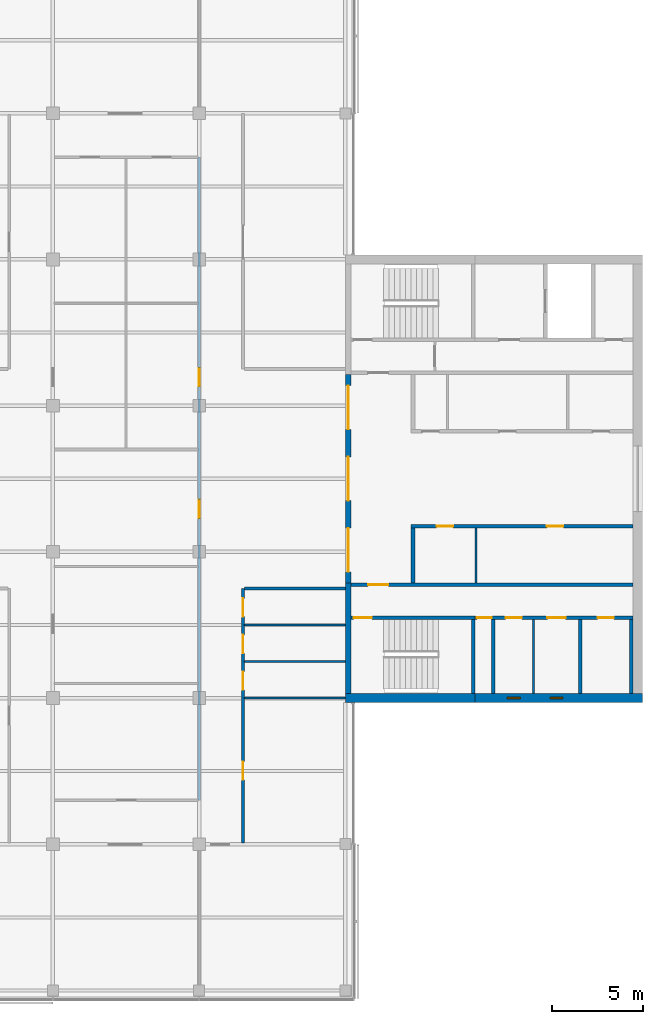
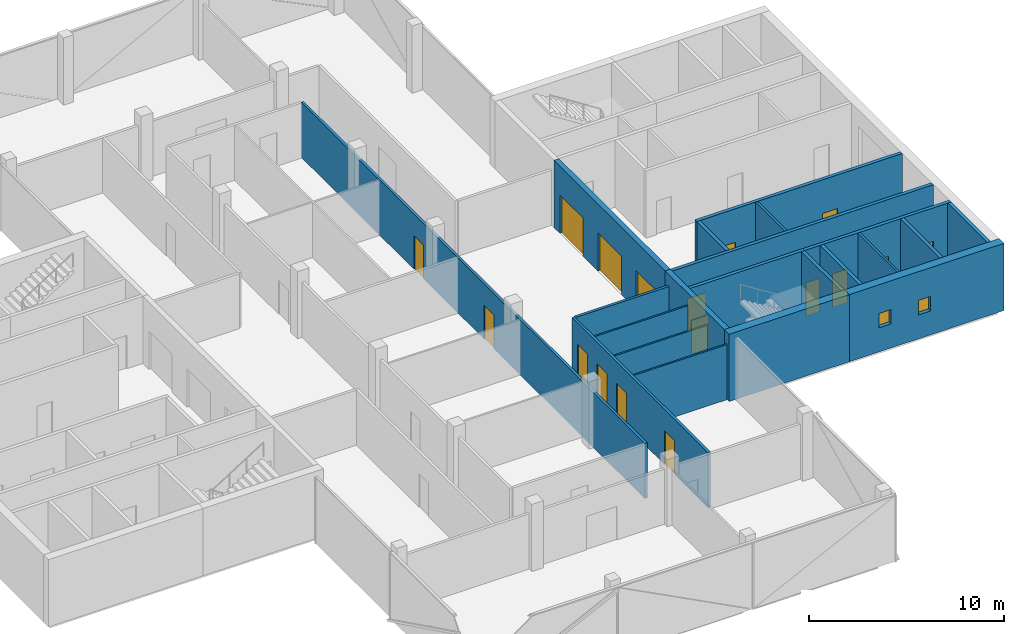
# One storey, part 10 of 15: 21 walls, 17 doors, 2 windows, 19 openings.
"""IFC4 building model written with IfcOpenShell, lengths in metres."""

from ifc_helpers import new_model, si_unit, direction, frame, frame_2d, origin, place, context, subcontext, project, spatial, rectangle, extrude, material, layer, layer_set, constituent, constituent_set, type_object, element, fill, save


model = new_model("IFC4")

# Units and contexts
model_context = context("Model", 3, precision=1e-05, world=origin(), true_north=direction((0.0, 1.0)))
body_context = subcontext(model_context, "Body", "Model", "MODEL_VIEW")
ifc_project = project(units=[si_unit("LENGTHUNIT", "METRE"), si_unit("AREAUNIT", "SQUARE_METRE"), si_unit("VOLUMEUNIT", "CUBIC_METRE"), si_unit("PLANEANGLEUNIT", "RADIAN"), si_unit("MASSUNIT", "GRAM", prefix="KILO")], contexts=[model_context])

# Site, building, storey
site_placement = place(None, origin())
site = spatial("IfcSite", under=ifc_project, at=site_placement, CompositionType="ELEMENT")
building_placement = place(site_placement, origin())
building = spatial("IfcBuilding", under=site, at=building_placement, Name="Crosswind Convention Tower", CompositionType="ELEMENT")
storey_placement = place(building_placement, frame((0.0, 0.0, 261.89990234375)))
storey = spatial("IfcBuildingStorey", under=building, at=storey_placement, Name="L56", CompositionType="ELEMENT", Elevation=261.89990234375)

# Wall
ifc_material_1 = material(Name="Concrete blockwork", Category="masonry")
ifc_layer_1 = layer(ifc_material_1, 0.199951171875)
ifc_layer_set_1 = layer_set([ifc_layer_1], Name="Blockwork partition wall 200")
wall_type_1 = type_object("IfcWallType", Name="Blockwork partition wall 200", PredefinedType="PARTITIONING", material=ifc_layer_set_1)
wall_1_placement = place(storey_placement, frame((145.10009765625, 88.25, 0.0), z_axis=(0.0, 0.0, 1.0), x_axis=(0.0, 1.0, 0.0)))
element("IfcWall", 1, at=wall_1_placement, inside=storey, type_object=wall_type_1, Name="Wall MRSE E L56", PredefinedType="PARTITIONING", context=body_context, shape_type="SweptSolid", body=[
    extrude(rectangle(XDim=4.050048828125, YDim=0.199951171875, at=frame_2d((2.02490234375, 0.0))), origin(), (0.0, 0.0, 1.0), 4.2001953125),
])

# Wall, openings, doors
ifc_material_2 = material(Name="Concrete C50/60", Category="concrete")
ifc_layer_2 = layer(ifc_material_2, 0.300048828125)
ifc_layer_set_2 = layer_set([ifc_layer_2], Name="Concrete C50/60")
wall_type_2 = type_object("IfcWallType", Name="Concrete inner core wall 300", PredefinedType="SHEAR", material=ifc_layer_set_2)
wall_2_placement = place(storey_placement, frame((137.14990234375, 94.300048828125, 0.0), z_axis=(0.0, 0.0, 1.0), x_axis=(0.0, 1.0, 0.0)))
wall_2 = element("IfcWall", 2, at=wall_2_placement, inside=storey, type_object=wall_type_2, Name="Wall SCR E L56", PredefinedType="SHEAR", context=body_context, shape_type="SweptSolid", body=[
    extrude(rectangle(XDim=11.39990234375, YDim=0.300048828125, at=frame_2d((5.699951171875, 0.0))), origin(), (0.0, 0.0, 1.0), 4.2001953125),
])
opening_1_placement = place(wall_2_placement, frame((0.60009765625, 0.0, 0.0)))
opening_1 = element("IfcOpeningElement", 3, at=opening_1_placement, cuts=wall_2, Name="Opening D100", PredefinedType="OPENING", context=body_context, shape_type="SweptSolid", body=[
    extrude(rectangle(XDim=2.39990234375, YDim=2.39990234375, at=frame_2d((1.199951171875, 1.199951171875))), frame((0.0, 0.159912109375, 0.0), z_axis=(0.0, -1.0, 0.0), x_axis=(1.0, 0.0, 0.0)), (0.0, 0.0, 1.0), 0.320068359375),
])
opening_2_placement = place(wall_2_placement, frame((4.5, 0.0, 0.0)))
opening_2 = element("IfcOpeningElement", 4, at=opening_2_placement, cuts=wall_2, Name="Opening D100", PredefinedType="OPENING", context=body_context, shape_type="SweptSolid", body=[
    extrude(rectangle(XDim=2.39990234375, YDim=2.39990234375, at=frame_2d((1.199951171875, 1.199951171875))), frame((0.0, 0.159912109375, 0.0), z_axis=(0.0, -1.0, 0.0), x_axis=(1.0, 0.0, 0.0)), (0.0, 0.0, 1.0), 0.320068359375),
])
opening_3_placement = place(wall_2_placement, frame((8.39990234375, 0.0, 0.0)))
opening_3 = element("IfcOpeningElement", 5, at=opening_3_placement, cuts=wall_2, Name="Opening D100", PredefinedType="OPENING", context=body_context, shape_type="SweptSolid", body=[
    extrude(rectangle(XDim=2.39990234375, YDim=2.39990234375, at=frame_2d((1.199951171875, 1.199951171875))), frame((0.0, 0.159912109375, 0.0), z_axis=(0.0, -1.0, 0.0), x_axis=(1.0, 0.0, 0.0)), (0.0, 0.0, 1.0), 0.320068359375),
])
ifc_material_3 = material(Name="Steel fire door with glazed vision panels", Category="steel")
door_type_1 = type_object("IfcDoorType", Name="Fire-rated double door 2400x2400", OperationType="DOUBLE_DOOR_SINGLE_SWING", PredefinedType="DOOR", material=ifc_material_3)
door_1_placement = place(opening_1_placement, origin())
door_1 = element("IfcDoor", 6, at=door_1_placement, inside=storey, type_object=door_type_1, Name="Lobby door 1 L56", ObjectType="D100", OperationType="DOUBLE_DOOR_SINGLE_SWING", OverallHeight=2.39990234375, OverallWidth=2.39990234375, PredefinedType="DOOR", context=body_context, shape_type="SweptSolid", body=[
    extrude(rectangle(XDim=2.39990234375, YDim=2.39990234375, at=frame_2d((1.199951171875, 1.199951171875))), frame((0.0, 0.02490234375, 0.0), z_axis=(0.0, -1.0, 0.0), x_axis=(1.0, 0.0, 0.0)), (0.0, 0.0, 1.0), 0.050048828125),
])
fill(opening_1, door_1)
door_2_placement = place(opening_2_placement, origin())
door_2 = element("IfcDoor", 7, at=door_2_placement, inside=storey, type_object=door_type_1, Name="Lobby door 2 L56", ObjectType="D100", OperationType="DOUBLE_DOOR_SINGLE_SWING", OverallHeight=2.39990234375, OverallWidth=2.39990234375, PredefinedType="DOOR", context=body_context, shape_type="SweptSolid", body=[
    extrude(rectangle(XDim=2.39990234375, YDim=2.39990234375, at=frame_2d((1.199951171875, 1.199951171875))), frame((0.0, 0.02490234375, 0.0), z_axis=(0.0, -1.0, 0.0), x_axis=(1.0, 0.0, 0.0)), (0.0, 0.0, 1.0), 0.050048828125),
])
fill(opening_2, door_2)
door_3_placement = place(opening_3_placement, origin())
door_3 = element("IfcDoor", 8, at=door_3_placement, inside=storey, type_object=door_type_1, Name="Lobby door 3 L56", ObjectType="D100", OperationType="DOUBLE_DOOR_SINGLE_SWING", OverallHeight=2.39990234375, OverallWidth=2.39990234375, PredefinedType="DOOR", context=body_context, shape_type="SweptSolid", body=[
    extrude(rectangle(XDim=2.39990234375, YDim=2.39990234375, at=frame_2d((1.199951171875, 1.199951171875))), frame((0.0, 0.02490234375, 0.0), z_axis=(0.0, -1.0, 0.0), x_axis=(1.0, 0.0, 0.0)), (0.0, 0.0, 1.0), 0.050048828125),
])
fill(opening_3, door_3)

# Walls
wall_3_placement = place(storey_placement, frame((137.14990234375, 88.25, 0.0), z_axis=(0.0, 0.0, 1.0), x_axis=(0.0, 1.0, 0.0)))
element("IfcWall", 9, at=wall_3_placement, inside=storey, type_object=wall_type_2, Name="Wall EM E L56", PredefinedType="SHEAR", context=body_context, shape_type="SweptSolid", body=[
    extrude(rectangle(XDim=6.050048828125, YDim=0.300048828125, at=frame_2d((3.02490234375, 0.0))), origin(), (0.0, 0.0, 1.0), 4.2001953125),
])
ifc_layer_3 = layer(ifc_material_2, 0.199951171875)
ifc_layer_set_3 = layer_set([ifc_layer_3], Name="Concrete C50/60")
wall_type_3 = type_object("IfcWallType", Name="Concrete shaft and stair wall 200", PredefinedType="SHEAR", material=ifc_layer_set_3)
wall_4_placement = place(storey_placement, frame((140.699951171875, 94.300048828125, 0.0), z_axis=(0.0, 0.0, 1.0), x_axis=(0.0, 1.0, 0.0)))
element("IfcWall", 10, at=wall_4_placement, inside=storey, type_object=wall_type_3, Name="Wall RMEND E L56", PredefinedType="SHEAR", context=body_context, shape_type="SweptSolid", body=[
    extrude(rectangle(XDim=3.0, YDim=0.199951171875, at=frame_2d((1.5, 0.0))), origin(), (0.0, 0.0, 1.0), 4.2001953125),
])

# Wall, openings, doors
wall_5_placement = place(storey_placement, frame((140.60009765625, 97.39990234375, 0.0), z_axis=(0.0, 0.0, 1.0), x_axis=(1.0, 0.0, 0.0)))
wall_5 = element("IfcWall", 11, at=wall_5_placement, inside=storey, type_object=wall_type_3, Name="Wall RMFRONT E L56", PredefinedType="SHEAR", context=body_context, shape_type="SweptSolid", body=[
    extrude(rectangle(XDim=12.14990234375, YDim=0.199951171875, at=frame_2d((6.074951171875, 0.0))), origin(), (0.0, 0.0, 1.0), 4.2001953125),
])
opening_4_placement = place(wall_5_placement, frame((1.391845703125, 0.0, 0.0)))
opening_4 = element("IfcOpeningElement", 12, at=opening_4_placement, cuts=wall_5, Name="Opening D106", PredefinedType="OPENING", context=body_context, shape_type="SweptSolid", body=[
    extrude(rectangle(XDim=0.89990234375, YDim=2.10009765625, at=frame_2d((0.449951171875, 1.050048828125))), frame((0.0, 0.10986328125, 0.0), z_axis=(0.0, -1.0, 0.0), x_axis=(1.0, 0.0, 0.0)), (0.0, 0.0, 1.0), 0.219970703125),
])
opening_5_placement = place(wall_5_placement, frame((7.42919921875, 0.0, 0.0)))
opening_5 = element("IfcOpeningElement", 13, at=opening_5_placement, cuts=wall_5, Name="Opening D106", PredefinedType="OPENING", context=body_context, shape_type="SweptSolid", body=[
    extrude(rectangle(XDim=0.89990234375, YDim=2.10009765625, at=frame_2d((0.449951171875, 1.050048828125))), frame((0.0, 0.10986328125, 0.0), z_axis=(0.0, -1.0, 0.0), x_axis=(1.0, 0.0, 0.0)), (0.0, 0.0, 1.0), 0.219970703125),
])
ifc_material_4 = material(Name="Timber door", Category="wood")
door_type_2 = type_object("IfcDoorType", Name="Single leaf door 900x2100", OperationType="NOTDEFINED", PredefinedType="DOOR", material=ifc_material_4)
door_4_placement = place(opening_4_placement, frame((0.89990234375, 0.0, 0.0), z_axis=(0.0, 0.0, 1.0), x_axis=(-1.0, 0.0, 0.0)))
door_4 = element("IfcDoor", 14, at=door_4_placement, inside=storey, type_object=door_type_2, Name="Door to copy and print room L56", ObjectType="D106", OperationType="SINGLE_SWING_LEFT", OverallHeight=2.10009765625, OverallWidth=0.89990234375, PredefinedType="DOOR", context=body_context, shape_type="SweptSolid", body=[
    extrude(rectangle(XDim=0.89990234375, YDim=2.10009765625, at=frame_2d((0.449951171875, 1.050048828125))), frame((0.0, 0.02490234375, 0.0), z_axis=(0.0, -1.0, 0.0), x_axis=(1.0, 0.0, 0.0)), (0.0, 0.0, 1.0), 0.050048828125),
])
fill(opening_4, door_4)
door_5_placement = place(opening_5_placement, frame((0.89990234375, 0.0, 0.0), z_axis=(0.0, 0.0, 1.0), x_axis=(-1.0, 0.0, 0.0)))
door_5 = element("IfcDoor", 15, at=door_5_placement, inside=storey, type_object=door_type_2, Name="Door to meeting room L56", ObjectType="D106", OperationType="SINGLE_SWING_LEFT", OverallHeight=2.10009765625, OverallWidth=0.89990234375, PredefinedType="DOOR", context=body_context, shape_type="SweptSolid", body=[
    extrude(rectangle(XDim=0.89990234375, YDim=2.10009765625, at=frame_2d((0.449951171875, 1.050048828125))), frame((0.0, 0.02490234375, 0.0), z_axis=(0.0, -1.0, 0.0), x_axis=(1.0, 0.0, 0.0)), (0.0, 0.0, 1.0), 0.050048828125),
])
fill(opening_5, door_5)

# Wall, opening, door
wall_6_placement = place(storey_placement, frame((137.300048828125, 94.199951171875, 0.0), z_axis=(0.0, 0.0, 1.0), x_axis=(1.0, 0.0, 0.0)))
wall_6 = element("IfcWall", 16, at=wall_6_placement, inside=storey, type_object=wall_type_3, Name="Wall HM E L56", PredefinedType="SHEAR", context=body_context, shape_type="SweptSolid", body=[
    extrude(rectangle(XDim=15.449951171875, YDim=0.199951171875, at=frame_2d((7.72509765625, 0.0))), origin(), (0.0, 0.0, 1.0), 4.2001953125),
])
opening_6_placement = place(wall_6_placement, frame((0.949951171875, 0.0, 0.0)))
opening_6 = element("IfcOpeningElement", 17, at=opening_6_placement, cuts=wall_6, Name="Opening D104", PredefinedType="OPENING", context=body_context, shape_type="SweptSolid", body=[
    extrude(rectangle(XDim=1.10009765625, YDim=2.10009765625, at=frame_2d((0.550048828125, 1.050048828125))), frame((0.0, 0.10986328125, 0.0), z_axis=(0.0, -1.0, 0.0), x_axis=(1.0, 0.0, 0.0)), (0.0, 0.0, 1.0), 0.219970703125),
])
ifc_material_5 = material(Name="Steel fire door", Category="steel")
door_type_3 = type_object("IfcDoorType", Name="Fire-rated single door 1100x2100", OperationType="NOTDEFINED", PredefinedType="DOOR", material=ifc_material_5)
door_6_placement = place(opening_6_placement, origin())
door_6 = element("IfcDoor", 18, at=door_6_placement, inside=storey, type_object=door_type_3, Name="Corridor door L56", ObjectType="D104", OperationType="SINGLE_SWING_LEFT", OverallHeight=2.10009765625, OverallWidth=1.10009765625, PredefinedType="DOOR", context=body_context, shape_type="SweptSolid", body=[
    extrude(rectangle(XDim=1.10009765625, YDim=2.10009765625, at=frame_2d((0.550048828125, 1.050048828125))), frame((0.0, 0.02490234375, 0.0), z_axis=(0.0, -1.0, 0.0), x_axis=(1.0, 0.0, 0.0)), (0.0, 0.0, 1.0), 0.050048828125),
])
fill(opening_6, door_6)

# Walls
for number, where, z_axis, x_axis, name in (
    (19, (144.0, 88.25, 0.0), (0.0, 0.0, 1.0), (0.0, 1.0, 0.0), "Wall MSE E L56"),
    (20, (149.85009765625, 88.25, 0.0), (0.0, 0.0, 1.0), (0.0, 1.0, 0.0), "Wall MFSW E L56"),
    (21, (152.64990234375, 88.25, 0.0), (0.0, 0.0, 1.0), (0.0, 1.0, 0.0), "Wall MFSE E L56"),
):
    element("IfcWall", number, at=place(storey_placement, frame(where, z_axis=z_axis, x_axis=x_axis)), inside=storey, type_object=wall_type_3, Name=name, PredefinedType="SHEAR", context=body_context, shape_type="SweptSolid", body=[
        extrude(rectangle(XDim=4.050048828125, YDim=0.199951171875, at=frame_2d((2.02490234375, 0.0))), origin(), (0.0, 0.0, 1.0), 4.2001953125),
    ])

# Wall, opening, door
wall_7_placement = place(storey_placement, frame((137.300048828125, 92.39990234375, 0.0), z_axis=(0.0, 0.0, 1.0), x_axis=(1.0, 0.0, 0.0)))
wall_7 = element("IfcWall", 22, at=wall_7_placement, inside=storey, type_object=wall_type_3, Name="Wall MCW E L56", PredefinedType="SHEAR", context=body_context, shape_type="SweptSolid", body=[
    extrude(rectangle(XDim=6.800048828125, YDim=0.199951171875, at=frame_2d((3.39990234375, 0.0))), origin(), (0.0, 0.0, 1.0), 4.2001953125),
])
opening_7_placement = place(wall_7_placement, frame((0.14990234375, 0.0, 0.0)))
opening_7 = element("IfcOpeningElement", 23, at=opening_7_placement, cuts=wall_7, Name="Opening D103", PredefinedType="OPENING", context=body_context, shape_type="SweptSolid", body=[
    extrude(rectangle(XDim=1.0, YDim=2.10009765625, at=frame_2d((0.5, 1.050048828125))), frame((0.0, 0.10986328125, 0.0), z_axis=(0.0, -1.0, 0.0), x_axis=(1.0, 0.0, 0.0)), (0.0, 0.0, 1.0), 0.219970703125),
])
door_type_4 = type_object("IfcDoorType", Name="Fire-rated single door 1000x2100", OperationType="NOTDEFINED", PredefinedType="DOOR", material=ifc_material_5)
door_7_placement = place(opening_7_placement, frame((1.0, 0.0, 0.0), z_axis=(0.0, 0.0, 1.0), x_axis=(-1.0, 0.0, 0.0)))
door_7 = element("IfcDoor", 24, at=door_7_placement, inside=storey, type_object=door_type_4, Name="Stair ST2 door L56", ObjectType="D103", OperationType="SINGLE_SWING_RIGHT", OverallHeight=2.10009765625, OverallWidth=1.0, PredefinedType="DOOR", context=body_context, shape_type="SweptSolid", body=[
    extrude(rectangle(XDim=1.0, YDim=2.10009765625, at=frame_2d((0.5, 1.050048828125))), frame((0.0, 0.02490234375, 0.0), z_axis=(0.0, -1.0, 0.0), x_axis=(1.0, 0.0, 0.0)), (0.0, 0.0, 1.0), 0.050048828125),
])
fill(opening_7, door_7)

# Wall, openings, doors
wall_8_placement = place(storey_placement, frame((144.10009765625, 92.39990234375, 0.0), z_axis=(0.0, 0.0, 1.0), x_axis=(1.0, 0.0, 0.0)))
wall_8 = element("IfcWall", 25, at=wall_8_placement, inside=storey, type_object=wall_type_3, Name="Wall MCX E L56", PredefinedType="SHEAR", context=body_context, shape_type="SweptSolid", body=[
    extrude(rectangle(XDim=8.64990234375, YDim=0.199951171875, at=frame_2d((4.324951171875, 0.0))), origin(), (0.0, 0.0, 1.0), 4.2001953125),
])
opening_8_placement = place(wall_8_placement, frame((0.10009765625, 0.0, 0.0)))
opening_8 = element("IfcOpeningElement", 26, at=opening_8_placement, cuts=wall_8, Name="Opening D105", PredefinedType="OPENING", context=body_context, shape_type="SweptSolid", body=[
    extrude(rectangle(XDim=0.800048828125, YDim=2.10009765625, at=frame_2d((0.39990234375, 1.050048828125))), frame((0.0, 0.10986328125, 0.0), z_axis=(0.0, -1.0, 0.0), x_axis=(1.0, 0.0, 0.0)), (0.0, 0.0, 1.0), 0.219970703125),
])
opening_9_placement = place(wall_8_placement, frame((1.665283203125, 0.0, 0.0)))
opening_9 = element("IfcOpeningElement", 27, at=opening_9_placement, cuts=wall_8, Name="Opening D106", PredefinedType="OPENING", context=body_context, shape_type="SweptSolid", body=[
    extrude(rectangle(XDim=0.89990234375, YDim=2.10009765625, at=frame_2d((0.449951171875, 1.050048828125))), frame((0.0, 0.10986328125, 0.0), z_axis=(0.0, -1.0, 0.0), x_axis=(1.0, 0.0, 0.0)), (0.0, 0.0, 1.0), 0.219970703125),
])
opening_10_placement = place(wall_8_placement, frame((3.95263671875, 0.0, 0.0)))
opening_10 = element("IfcOpeningElement", 28, at=opening_10_placement, cuts=wall_8, Name="Opening D103", PredefinedType="OPENING", context=body_context, shape_type="SweptSolid", body=[
    extrude(rectangle(XDim=1.0, YDim=2.10009765625, at=frame_2d((0.5, 1.050048828125))), frame((0.0, 0.10986328125, 0.0), z_axis=(0.0, -1.0, 0.0), x_axis=(1.0, 0.0, 0.0)), (0.0, 0.0, 1.0), 0.219970703125),
])
opening_11_placement = place(wall_8_placement, frame((6.699951171875, 0.0, 0.0)))
opening_11 = element("IfcOpeningElement", 29, at=opening_11_placement, cuts=wall_8, Name="Opening D106", PredefinedType="OPENING", context=body_context, shape_type="SweptSolid", body=[
    extrude(rectangle(XDim=0.89990234375, YDim=2.10009765625, at=frame_2d((0.449951171875, 1.050048828125))), frame((0.0, 0.10986328125, 0.0), z_axis=(0.0, -1.0, 0.0), x_axis=(1.0, 0.0, 0.0)), (0.0, 0.0, 1.0), 0.219970703125),
])
door_8_placement = place(opening_10_placement, frame((1.0, 0.0, 0.0), z_axis=(0.0, 0.0, 1.0), x_axis=(-1.0, 0.0, 0.0)))
door_8 = element("IfcDoor", 30, at=door_8_placement, inside=storey, type_object=door_type_4, Name="Door to accessible wc L56", ObjectType="D103", OperationType="SINGLE_SWING_LEFT", OverallHeight=2.10009765625, OverallWidth=1.0, PredefinedType="DOOR", context=body_context, shape_type="SweptSolid", body=[
    extrude(rectangle(XDim=1.0, YDim=2.10009765625, at=frame_2d((0.5, 1.050048828125))), frame((0.0, 0.02490234375, 0.0), z_axis=(0.0, -1.0, 0.0), x_axis=(1.0, 0.0, 0.0)), (0.0, 0.0, 1.0), 0.050048828125),
])
fill(opening_10, door_8)
door_type_5 = type_object("IfcDoorType", Name="Riser access door 800x2100", OperationType="NOTDEFINED", PredefinedType="DOOR", material=ifc_material_5)
door_9_placement = place(opening_8_placement, frame((0.800048828125, 0.0, 0.0), z_axis=(0.0, 0.0, 1.0), x_axis=(-1.0, 0.0, 0.0)))
door_9 = element("IfcDoor", 31, at=door_9_placement, inside=storey, type_object=door_type_5, Name="Riser door L56", ObjectType="D105", OperationType="SINGLE_SWING_LEFT", OverallHeight=2.10009765625, OverallWidth=0.800048828125, PredefinedType="DOOR", context=body_context, shape_type="SweptSolid", body=[
    extrude(rectangle(XDim=0.800048828125, YDim=2.10009765625, at=frame_2d((0.39990234375, 1.050048828125))), frame((0.0, 0.02490234375, 0.0), z_axis=(0.0, -1.0, 0.0), x_axis=(1.0, 0.0, 0.0)), (0.0, 0.0, 1.0), 0.050048828125),
])
fill(opening_8, door_9)
door_10_placement = place(opening_9_placement, frame((0.89990234375, 0.0, 0.0), z_axis=(0.0, 0.0, 1.0), x_axis=(-1.0, 0.0, 0.0)))
door_10 = element("IfcDoor", 32, at=door_10_placement, inside=storey, type_object=door_type_2, Name="Door to wc L56", ObjectType="D106", OperationType="SINGLE_SWING_LEFT", OverallHeight=2.10009765625, OverallWidth=0.89990234375, PredefinedType="DOOR", context=body_context, shape_type="SweptSolid", body=[
    extrude(rectangle(XDim=0.89990234375, YDim=2.10009765625, at=frame_2d((0.449951171875, 1.050048828125))), frame((0.0, 0.02490234375, 0.0), z_axis=(0.0, -1.0, 0.0), x_axis=(1.0, 0.0, 0.0)), (0.0, 0.0, 1.0), 0.050048828125),
])
fill(opening_9, door_10)
door_11_placement = place(opening_11_placement, frame((0.89990234375, 0.0, 0.0), z_axis=(0.0, 0.0, 1.0), x_axis=(-1.0, 0.0, 0.0)))
door_11 = element("IfcDoor", 33, at=door_11_placement, inside=storey, type_object=door_type_2, Name="Door to accessible wc L56", ObjectType="D106", OperationType="SINGLE_SWING_LEFT", OverallHeight=2.10009765625, OverallWidth=0.89990234375, PredefinedType="DOOR", context=body_context, shape_type="SweptSolid", body=[
    extrude(rectangle(XDim=0.89990234375, YDim=2.10009765625, at=frame_2d((0.449951171875, 1.050048828125))), frame((0.0, 0.02490234375, 0.0), z_axis=(0.0, -1.0, 0.0), x_axis=(1.0, 0.0, 0.0)), (0.0, 0.0, 1.0), 0.050048828125),
])
fill(opening_11, door_11)

# Walls
ifc_material_6 = material(Name="Gypsum plasterboard partition", Category="gypsum")
ifc_layer_4 = layer(ifc_material_6, 0.125)
ifc_layer_set_4 = layer_set([ifc_layer_4], Name="Drywall partition wall 125")
wall_type_4 = type_object("IfcWallType", Name="Drywall partition wall 125", PredefinedType="PARTITIONING", material=ifc_layer_set_4)
wall_9_placement = place(storey_placement, frame((144.14599609375, 94.300048828125, 0.0), z_axis=(0.0, 0.0, 1.0), x_axis=(0.0, 1.0, 0.0)))
element("IfcWall", 34, at=wall_9_placement, inside=storey, type_object=wall_type_4, Name="Wall RMP1 E L56", PredefinedType="PARTITIONING", context=body_context, shape_type="SweptSolid", body=[
    extrude(rectangle(XDim=3.0, YDim=0.125, at=frame_2d((1.5, 0.0))), origin(), (0.0, 0.0, 1.0), 4.2001953125),
])
wall_10_placement = place(storey_placement, frame((147.29296875, 88.25, 0.0), z_axis=(0.0, 0.0, 1.0), x_axis=(0.0, 1.0, 0.0)))
element("IfcWall", 35, at=wall_10_placement, inside=storey, type_object=wall_type_4, Name="Wall MWP1 E L56", PredefinedType="PARTITIONING", context=body_context, shape_type="SweptSolid", body=[
    extrude(rectangle(XDim=4.050048828125, YDim=0.125, at=frame_2d((2.02490234375, 0.0))), origin(), (0.0, 0.0, 1.0), 4.2001953125),
])
ifc_material_7 = material(Name="Plasterboard partition", Category="gypsum")
ifc_layer_5 = layer(ifc_material_7, 0.10009765625)
ifc_layer_set_5 = layer_set([ifc_layer_5], Name="PARTITION 100 METAL STUD")
wall_type_5 = type_object("IfcWallType", Name="PARTITION 100 METAL STUD", PredefinedType="PARTITIONING", material=ifc_layer_set_5)
for number, where, z_axis, x_axis, name in (
    (36, (131.47509765625, 88.0, 0.0), (0.0, 0.0, 1.0), (1.0, 0.0, 0.0), "Partition wall WT40"),
    (37, (131.47509765625, 90.0, 0.0), (0.0, 0.0, 1.0), (1.0, 0.0, 0.0), "Partition wall WT40"),
    (38, (131.47509765625, 92.0, 0.0), (0.0, 0.0, 1.0), (1.0, 0.0, 0.0), "Partition wall WT40"),
):
    element("IfcWall", number, at=place(storey_placement, frame(where, z_axis=z_axis, x_axis=x_axis)), inside=storey, type_object=wall_type_5, Name=name, PredefinedType="PARTITIONING", context=body_context, shape_type="SweptSolid", body=[
        extrude(rectangle(XDim=5.52490234375, YDim=0.10009765625, at=frame_2d((2.762451171875, 0.0))), origin(), (0.0, 0.0, 1.0), 3.44287109375),
    ])

# Wall, openings, doors
ifc_material_8 = material(Name="Fire-board partition with mineral wool", Category="gypsum")
ifc_layer_6 = layer(ifc_material_8, 0.14990234375)
ifc_layer_set_6 = layer_set([ifc_layer_6], Name="TENANCY WALL 150 TWO-HOUR BOARD")
wall_type_6 = type_object("IfcWallType", Name="TENANCY WALL 150 TWO-HOUR BOARD", PredefinedType="PARTITIONING", material=ifc_layer_set_6)
wall_11_placement = place(storey_placement, frame((129.0, 82.39990234375, 0.0), z_axis=(0.0, 0.0, 1.0), x_axis=(0.0, 1.0, 0.0)))
wall_11 = element("IfcWall", 39, at=wall_11_placement, inside=storey, type_object=wall_type_6, Name="Tenancy wall WT41", PredefinedType="PARTITIONING", context=body_context, shape_type="SweptSolid", body=[
    extrude(rectangle(XDim=35.2001953125, YDim=0.14990234375, at=frame_2d((17.60009765625, 0.0))), origin(), (0.0, 0.0, 1.0), 3.44287109375),
])
opening_12_placement = place(wall_11_placement, frame((15.449951171875, 0.0, 0.0)))
opening_12 = element("IfcOpeningElement", 40, at=opening_12_placement, cuts=wall_11, Name="Opening L56-62", PredefinedType="OPENING", context=body_context, shape_type="SweptSolid", body=[
    extrude(rectangle(XDim=1.0, YDim=2.10009765625, at=frame_2d((0.5, 1.050048828125))), frame((0.0, 0.0849609375, 0.0), z_axis=(0.0, -1.0, 0.0), x_axis=(1.0, 0.0, 0.0)), (0.0, 0.0, 1.0), 0.169921875),
])
opening_13_placement = place(wall_11_placement, frame((22.64990234375, 0.0, 0.0)))
opening_13 = element("IfcOpeningElement", 41, at=opening_13_placement, cuts=wall_11, Name="Opening L56-64", PredefinedType="OPENING", context=body_context, shape_type="SweptSolid", body=[
    extrude(rectangle(XDim=1.0, YDim=2.10009765625, at=frame_2d((0.5, 1.050048828125))), frame((0.0, 0.0849609375, 0.0), z_axis=(0.0, -1.0, 0.0), x_axis=(1.0, 0.0, 0.0)), (0.0, 0.0, 1.0), 0.169921875),
])
ifc_material_9 = material(Name="Timber fire door", Category="wood")
door_type_6 = type_object("IfcDoorType", Name="TENANCY ENTRANCE DOOR 1000X2100 FD30S", OperationType="NOTDEFINED", PredefinedType="DOOR", material=ifc_material_9)
door_12_placement = place(opening_12_placement, origin())
door_12 = element("IfcDoor", 42, at=door_12_placement, inside=storey, type_object=door_type_6, Name="Door L56-62", ObjectType="D41", OperationType="SINGLE_SWING_LEFT", OverallHeight=2.10009765625, OverallWidth=1.0, PredefinedType="DOOR", context=body_context, shape_type="SweptSolid", body=[
    extrude(rectangle(XDim=1.0, YDim=2.10009765625, at=frame_2d((0.5, 1.050048828125))), frame((0.0, 0.02490234375, 0.0), z_axis=(0.0, -1.0, 0.0), x_axis=(1.0, 0.0, 0.0)), (0.0, 0.0, 1.0), 0.050048828125),
])
fill(opening_12, door_12)
door_13_placement = place(opening_13_placement, origin())
door_13 = element("IfcDoor", 43, at=door_13_placement, inside=storey, type_object=door_type_6, Name="Door L56-64", ObjectType="D41", OperationType="SINGLE_SWING_LEFT", OverallHeight=2.10009765625, OverallWidth=1.0, PredefinedType="DOOR", context=body_context, shape_type="SweptSolid", body=[
    extrude(rectangle(XDim=1.0, YDim=2.10009765625, at=frame_2d((0.5, 1.050048828125))), frame((0.0, 0.02490234375, 0.0), z_axis=(0.0, -1.0, 0.0), x_axis=(1.0, 0.0, 0.0)), (0.0, 0.0, 1.0), 0.050048828125),
])
fill(opening_13, door_13)

wall_12_placement = place(storey_placement, frame((131.39990234375, 80.074951171875, 0.0), z_axis=(0.0, 0.0, 1.0), x_axis=(0.0, 1.0, 0.0)))
wall_12 = element("IfcWall", 44, at=wall_12_placement, inside=storey, type_object=wall_type_6, Name="Tenancy wall WT41", PredefinedType="PARTITIONING", context=body_context, shape_type="SweptSolid", body=[
    extrude(rectangle(XDim=13.925048828125, YDim=0.14990234375, at=frame_2d((6.96240234375, 0.0))), origin(), (0.0, 0.0, 1.0), 3.44287109375),
])
opening_14_placement = place(wall_12_placement, frame((12.375, 0.0, 0.0)))
opening_14 = element("IfcOpeningElement", 45, at=opening_14_placement, cuts=wall_12, Name="Opening L56-51", PredefinedType="OPENING", context=body_context, shape_type="SweptSolid", body=[
    extrude(rectangle(XDim=1.0, YDim=2.10009765625, at=frame_2d((0.5, 1.050048828125))), frame((0.0, 0.0849609375, 0.0), z_axis=(0.0, -1.0, 0.0), x_axis=(1.0, 0.0, 0.0)), (0.0, 0.0, 1.0), 0.169921875),
])
opening_15_placement = place(wall_12_placement, frame((10.375, 0.0, 0.0)))
opening_15 = element("IfcOpeningElement", 46, at=opening_15_placement, cuts=wall_12, Name="Opening L56-52", PredefinedType="OPENING", context=body_context, shape_type="SweptSolid", body=[
    extrude(rectangle(XDim=1.0, YDim=2.10009765625, at=frame_2d((0.5, 1.050048828125))), frame((0.0, 0.0849609375, 0.0), z_axis=(0.0, -1.0, 0.0), x_axis=(1.0, 0.0, 0.0)), (0.0, 0.0, 1.0), 0.169921875),
])
opening_16_placement = place(wall_12_placement, frame((8.375, 0.0, 0.0)))
opening_16 = element("IfcOpeningElement", 47, at=opening_16_placement, cuts=wall_12, Name="Opening L56-53", PredefinedType="OPENING", context=body_context, shape_type="SweptSolid", body=[
    extrude(rectangle(XDim=1.0, YDim=2.10009765625, at=frame_2d((0.5, 1.050048828125))), frame((0.0, 0.0849609375, 0.0), z_axis=(0.0, -1.0, 0.0), x_axis=(1.0, 0.0, 0.0)), (0.0, 0.0, 1.0), 0.169921875),
])
opening_17_placement = place(wall_12_placement, frame((3.449951171875, 0.0, 0.0)))
opening_17 = element("IfcOpeningElement", 48, at=opening_17_placement, cuts=wall_12, Name="Opening L56-54", PredefinedType="OPENING", context=body_context, shape_type="SweptSolid", body=[
    extrude(rectangle(XDim=1.0, YDim=2.10009765625, at=frame_2d((0.5, 1.050048828125))), frame((0.0, 0.0849609375, 0.0), z_axis=(0.0, -1.0, 0.0), x_axis=(1.0, 0.0, 0.0)), (0.0, 0.0, 1.0), 0.169921875),
])
door_14_placement = place(opening_14_placement, frame((1.0, 0.0, 0.0), z_axis=(0.0, 0.0, 1.0), x_axis=(-1.0, 0.0, 0.0)))
door_14 = element("IfcDoor", 49, at=door_14_placement, inside=storey, type_object=door_type_6, Name="Door L56-51", ObjectType="D41", OperationType="SINGLE_SWING_RIGHT", OverallHeight=2.10009765625, OverallWidth=1.0, PredefinedType="DOOR", context=body_context, shape_type="SweptSolid", body=[
    extrude(rectangle(XDim=1.0, YDim=2.10009765625, at=frame_2d((0.5, 1.050048828125))), frame((0.0, 0.02490234375, 0.0), z_axis=(0.0, -1.0, 0.0), x_axis=(1.0, 0.0, 0.0)), (0.0, 0.0, 1.0), 0.050048828125),
])
fill(opening_14, door_14)
door_15_placement = place(opening_15_placement, frame((1.0, 0.0, 0.0), z_axis=(0.0, 0.0, 1.0), x_axis=(-1.0, 0.0, 0.0)))
door_15 = element("IfcDoor", 50, at=door_15_placement, inside=storey, type_object=door_type_6, Name="Door L56-52", ObjectType="D41", OperationType="SINGLE_SWING_RIGHT", OverallHeight=2.10009765625, OverallWidth=1.0, PredefinedType="DOOR", context=body_context, shape_type="SweptSolid", body=[
    extrude(rectangle(XDim=1.0, YDim=2.10009765625, at=frame_2d((0.5, 1.050048828125))), frame((0.0, 0.02490234375, 0.0), z_axis=(0.0, -1.0, 0.0), x_axis=(1.0, 0.0, 0.0)), (0.0, 0.0, 1.0), 0.050048828125),
])
fill(opening_15, door_15)
door_16_placement = place(opening_16_placement, frame((1.0, 0.0, 0.0), z_axis=(0.0, 0.0, 1.0), x_axis=(-1.0, 0.0, 0.0)))
door_16 = element("IfcDoor", 51, at=door_16_placement, inside=storey, type_object=door_type_6, Name="Door L56-53", ObjectType="D41", OperationType="SINGLE_SWING_RIGHT", OverallHeight=2.10009765625, OverallWidth=1.0, PredefinedType="DOOR", context=body_context, shape_type="SweptSolid", body=[
    extrude(rectangle(XDim=1.0, YDim=2.10009765625, at=frame_2d((0.5, 1.050048828125))), frame((0.0, 0.02490234375, 0.0), z_axis=(0.0, -1.0, 0.0), x_axis=(1.0, 0.0, 0.0)), (0.0, 0.0, 1.0), 0.050048828125),
])
fill(opening_16, door_16)
door_17_placement = place(opening_17_placement, frame((1.0, 0.0, 0.0), z_axis=(0.0, 0.0, 1.0), x_axis=(-1.0, 0.0, 0.0)))
door_17 = element("IfcDoor", 52, at=door_17_placement, inside=storey, type_object=door_type_6, Name="Door L56-54", ObjectType="D41", OperationType="SINGLE_SWING_LEFT", OverallHeight=2.10009765625, OverallWidth=1.0, PredefinedType="DOOR", context=body_context, shape_type="SweptSolid", body=[
    extrude(rectangle(XDim=1.0, YDim=2.10009765625, at=frame_2d((0.5, 1.050048828125))), frame((0.0, 0.02490234375, 0.0), z_axis=(0.0, -1.0, 0.0), x_axis=(1.0, 0.0, 0.0)), (0.0, 0.0, 1.0), 0.050048828125),
])
fill(opening_17, door_17)

# Walls
wall_13_placement = place(storey_placement, frame((131.47509765625, 94.0, 0.0), z_axis=(0.0, 0.0, 1.0), x_axis=(1.0, 0.0, 0.0)))
element("IfcWall", 53, at=wall_13_placement, inside=storey, type_object=wall_type_6, Name="Tenancy wall WT41", PredefinedType="PARTITIONING", context=body_context, shape_type="SweptSolid", body=[
    extrude(rectangle(XDim=5.52490234375, YDim=0.14990234375, at=frame_2d((2.762451171875, 0.0))), origin(), (0.0, 0.0, 1.0), 3.44287109375),
])
ifc_material_10 = material(Name="Concrete C60/75", Category="concrete")
ifc_constituent_1 = constituent(ifc_material_10, Name="Structure")
ifc_material_11 = material(Name="Terracotta rainscreen", Category="ceramic")
ifc_constituent_2 = constituent(ifc_material_11, Name="Facing")
ifc_constituent_set = constituent_set(constituents=[ifc_constituent_1, ifc_constituent_2], Name="Concrete C60/75, Terracotta rainscreen")
wall_type_7 = type_object("IfcWallType", Name="Terracotta rainscreen on concrete core wall 500", PredefinedType="SHEAR", material=ifc_constituent_set)
wall_14_placement = place(storey_placement, frame((137.0, 88.0, 0.0), z_axis=(0.0, 0.0, 1.0), x_axis=(1.0, 0.0, 0.0)))
element("IfcWall", 54, at=wall_14_placement, inside=storey, type_object=wall_type_7, Name="Wall S1 E L56", PredefinedType="SHEAR", context=body_context, shape_type="SweptSolid", body=[
    extrude(rectangle(XDim=7.10009765625, YDim=0.5, at=frame_2d((3.550048828125, 0.0))), origin(), (0.0, 0.0, 1.0), 4.2001953125),
])

# Wall, openings, windows
wall_15_placement = place(storey_placement, frame((144.10009765625, 88.0, 0.0), z_axis=(0.0, 0.0, 1.0), x_axis=(1.0, 0.0, 0.0)))
wall_15 = element("IfcWall", 55, at=wall_15_placement, inside=storey, type_object=wall_type_7, Name="Wall S2 E L56", PredefinedType="SHEAR", context=body_context, shape_type="SweptSolid", body=[
    extrude(rectangle(XDim=9.14990234375, YDim=0.5, at=frame_2d((4.574951171875, 0.0))), origin(), (0.0, 0.0, 1.0), 4.2001953125),
])
opening_18_placement = place(wall_15_placement, frame((1.76513671875, 0.0, 1.5)))
opening_18 = element("IfcOpeningElement", 56, at=opening_18_placement, cuts=wall_15, Name="Opening W2", PredefinedType="OPENING", context=body_context, shape_type="SweptSolid", body=[
    extrude(rectangle(XDim=0.699951171875, YDim=0.89990234375, at=frame_2d((0.35009765625, 0.449951171875))), frame((0.0, 0.260009765625, 0.0), z_axis=(0.0, -1.0, 0.0), x_axis=(1.0, 0.0, 0.0)), (0.0, 0.0, 1.0), 0.52001953125),
])
opening_19_placement = place(wall_15_placement, frame((4.102783203125, 0.0, 1.5)))
opening_19 = element("IfcOpeningElement", 57, at=opening_19_placement, cuts=wall_15, Name="Opening W2", PredefinedType="OPENING", context=body_context, shape_type="SweptSolid", body=[
    extrude(rectangle(XDim=0.699951171875, YDim=0.89990234375, at=frame_2d((0.35009765625, 0.449951171875))), frame((0.0, 0.260009765625, 0.0), z_axis=(0.0, -1.0, 0.0), x_axis=(1.0, 0.0, 0.0)), (0.0, 0.0, 1.0), 0.52001953125),
])
ifc_material_12 = material(Name="Obscure glass in aluminium frame", Category="aluminium")
window_type = type_object("IfcWindowType", Name="WC window 700x900", PartitioningType="SINGLE_PANEL", PredefinedType="WINDOW", material=ifc_material_12)
window_1_placement = place(opening_18_placement, origin())
window_1 = element("IfcWindow", 58, at=window_1_placement, inside=storey, type_object=window_type, Name="WC window L56", ObjectType="W2", OverallHeight=0.89990234375, OverallWidth=0.699951171875, PartitioningType="SINGLE_PANEL", PredefinedType="WINDOW", context=body_context, shape_type="SweptSolid", body=[
    extrude(rectangle(XDim=0.699951171875, YDim=0.89990234375, at=frame_2d((0.35009765625, 0.449951171875))), frame((0.0, 0.030029296875, 0.0), z_axis=(0.0, -1.0, 0.0), x_axis=(1.0, 0.0, 0.0)), (0.0, 0.0, 1.0), 0.06005859375),
])
fill(opening_18, window_1)
window_2_placement = place(opening_19_placement, origin())
window_2 = element("IfcWindow", 59, at=window_2_placement, inside=storey, type_object=window_type, Name="WC window L56", ObjectType="W2", OverallHeight=0.89990234375, OverallWidth=0.699951171875, PartitioningType="SINGLE_PANEL", PredefinedType="WINDOW", context=body_context, shape_type="SweptSolid", body=[
    extrude(rectangle(XDim=0.699951171875, YDim=0.89990234375, at=frame_2d((0.35009765625, 0.449951171875))), frame((0.0, 0.030029296875, 0.0), z_axis=(0.0, -1.0, 0.0), x_axis=(1.0, 0.0, 0.0)), (0.0, 0.0, 1.0), 0.06005859375),
])
fill(opening_19, window_2)

save(model, "model.ifc")
